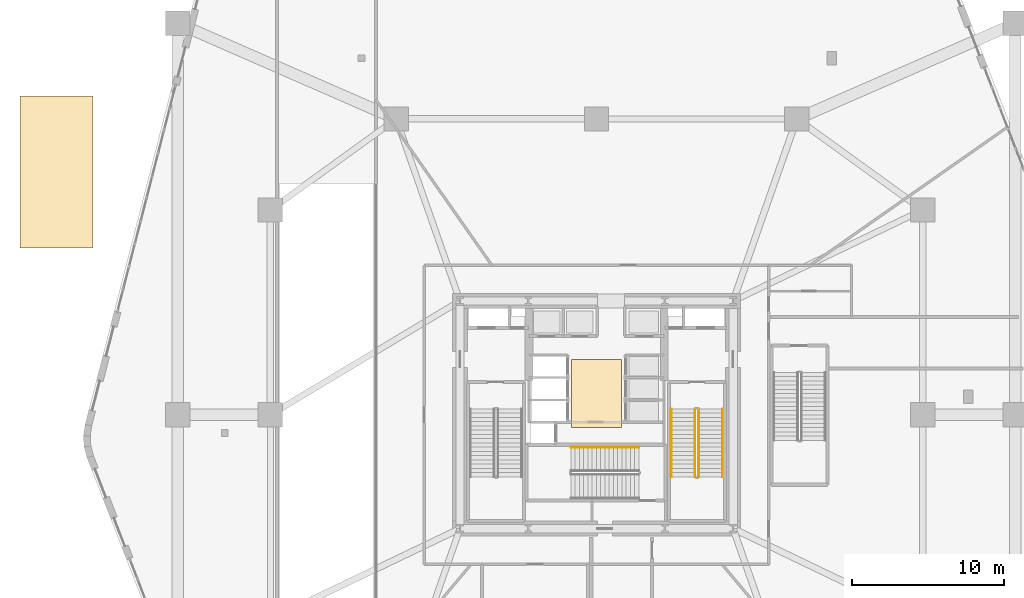
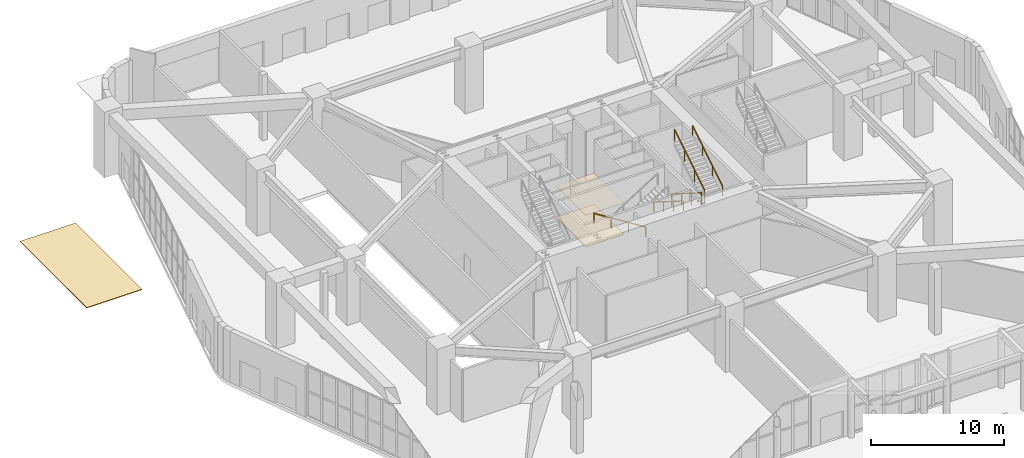
# One storey, part 32 of 35: 5 railings, 3 coverings.
"""IFC4 building model written with IfcOpenShell, lengths in metres."""

from ifc_helpers import new_model, si_unit, direction, frame, origin, origin_2d, place, context, subcontext, project, spatial, polyline, rectangle, outline, extrude, material, layer, layer_set, type_object, element, save


model = new_model("IFC4")

# Units and contexts
model_context = context("Model", 3, precision=1e-05, world=origin(), true_north=direction((0.0, 1.0)))
body_context = subcontext(model_context, "Body", "Model", "MODEL_VIEW")
ifc_project = project(units=[si_unit("LENGTHUNIT", "METRE"), si_unit("AREAUNIT", "SQUARE_METRE"), si_unit("VOLUMEUNIT", "CUBIC_METRE"), si_unit("PLANEANGLEUNIT", "RADIAN"), si_unit("MASSUNIT", "GRAM", prefix="KILO")], contexts=[model_context])

# Site, building, storey
site_placement = place(None, origin())
site = spatial("IfcSite", under=ifc_project, at=site_placement, CompositionType="ELEMENT")
building_placement = place(site_placement, origin())
building = spatial("IfcBuilding", under=site, at=building_placement, Name="Kilnhurst Terrace Hotel", CompositionType="ELEMENT")
storey_placement = place(building_placement, origin())
storey = spatial("IfcBuildingStorey", under=building, at=storey_placement, Name="L00", CompositionType="ELEMENT", Elevation=0.0)

# Coverings
ifc_material_1 = material(Name="Perforated Micro-Acoustic Gypsum and Mineral Wool Ceiling")
ifc_layer_1 = layer(ifc_material_1, 0.050048828125, Name="Perforated Micro-Acoustic Gypsum and Mineral Wool Ceiling")
ifc_layer_set_1 = layer_set([ifc_layer_1], Name="Perforated Micro-Acoustic Gypsum and Mineral Wool Ceiling")
covering_type_1 = type_object("IfcCoveringType", Name="COV-CLG-AC60", PredefinedType="CEILING", material=ifc_layer_set_1)
covering_1_placement = place(storey_placement, frame((0.0, 0.0, 2.85009765625)))
element("IfcCovering", 1, at=covering_1_placement, inside=storey, type_object=covering_type_1, Name="L00 Lift Lobby Suspended Acoustic Ceiling", PredefinedType="CEILING", context=body_context, shape_type="SweptSolid", body=[
    extrude(outline(polyline([(-1.64990234375, -0.85009765625), (1.64990234375, -0.85009765625), (1.64990234375, 3.64990234375), (-1.64990234375, 3.64990234375), (-1.64990234375, -0.85009765625)])), origin(), (0.0, 0.0, 1.0), 0.0498046875),
])
ifc_material_2 = material(Name="Honed Texas Cream Limestone Tile Flooring", Category="masonry")
ifc_layer_2 = layer(ifc_material_2, 0.030029296875, Name="Honed Texas Cream Limestone Tile Flooring")
ifc_layer_set_2 = layer_set([ifc_layer_2], Name="Honed Texas Cream Limestone Tile Flooring")
covering_type_2 = type_object("IfcCoveringType", Name="COV-FLR-STN30", PredefinedType="FLOORING", material=ifc_layer_set_2)
covering_2_placement = place(storey_placement, origin())
element("IfcCovering", 2, at=covering_2_placement, inside=storey, type_object=covering_type_2, Name="L00 Lift Lobby Honed Limestone Flooring", PredefinedType="FLOORING", context=body_context, shape_type="SweptSolid", body=[
    extrude(outline(polyline([(-1.64990234375, -0.85009765625), (1.64990234375, -0.85009765625), (1.64990234375, 3.64990234375), (-1.64990234375, 3.64990234375), (-1.64990234375, -0.85009765625)])), origin(), (0.0, 0.0, 1.0), 0.030029296875),
])
ifc_material_3 = material(Name="Flamed Texas Pink Granite Forecourt Paving", Category="masonry")
ifc_layer_3 = layer(ifc_material_3, 0.06005859375, Name="Flamed Texas Pink Granite Forecourt Paving")
ifc_layer_set_3 = layer_set([ifc_layer_3], Name="Flamed Texas Pink Granite Forecourt Paving")
covering_type_3 = type_object("IfcCoveringType", Name="COV-PAV-GRANITE", PredefinedType="FLOORING", material=ifc_layer_set_3)
covering_3_placement = place(storey_placement, frame((0.0, 0.0, -0.06005859375)))
element("IfcCovering", 3, at=covering_3_placement, inside=storey, type_object=covering_type_3, Name="L00 Forecourt Granite Paving 2", PredefinedType="FLOORING", context=body_context, shape_type="SweptSolid", body=[
    extrude(outline(polyline([(-38.0, 11.0), (-33.199951171875, 11.0), (-33.199951171875, 21.0), (-38.0, 21.0), (-38.0, 11.0)])), origin(), (0.0, 0.0, 1.0), 0.06005859375),
])

# Railings
ifc_material_4 = material(Name="Powder-Coated Steel ASTM A500 Grade B", Category="steel")
ifc_layer_4 = layer(ifc_material_4, 0.050048828125, Name="Powder-Coated Steel ASTM A500 Grade B")
ifc_layer_set_4 = layer_set([ifc_layer_4], Name="Powder-Coated Steel ASTM A500 Grade B")
railing_type_1 = type_object("IfcRailingType", Name="RLG-ST-GRD-1100", PredefinedType="GUARDRAIL", material=ifc_layer_set_4)
railing_1_placement = place(storey_placement, frame((6.489990234375, 0.389892578125, 0.176513671875)))
element("IfcRailing", 4, at=railing_1_placement, inside=storey, type_object=railing_type_1, Name="L00 ST-2 stair guard 1", PredefinedType="GUARDRAIL", context=body_context, shape_type="SweptSolid", body=[
    extrude(rectangle(XDim=0.048095703125, YDim=0.048095703125, at=origin_2d()), frame((0.0, 0.0, 1.076171875), z_axis=(0.0, -0.845997938375, 0.533186166611), x_axis=(1.0, 0.0, 0.0)), (0.0, 0.0, 1.0), 5.29541015625),
    extrude(rectangle(XDim=0.0419921875, YDim=0.0419921875, at=origin_2d()), origin(), (0.0, 0.0, 1.0), 1.052001953125),
    extrude(rectangle(XDim=0.0419921875, YDim=0.0419921875, at=origin_2d()), frame((0.0, -1.493408203125, 0.941162109375)), (0.0, 0.0, 1.0), 1.052001953125),
    extrude(rectangle(XDim=0.0419921875, YDim=0.0419921875, at=origin_2d()), frame((0.0, -2.986572265625, 1.88232421875)), (0.0, 0.0, 1.0), 1.052001953125),
    extrude(rectangle(XDim=0.0419921875, YDim=0.0419921875, at=origin_2d()), frame((0.0, -4.47998046875, 2.823486328125)), (0.0, 0.0, 1.0), 1.052001953125),
])
railing_2_placement = place(storey_placement, frame((6.739990234375, -4.090087890625, 3.176513671875)))
element("IfcRailing", 5, at=railing_2_placement, inside=storey, type_object=railing_type_1, Name="L00 ST-2 stair guard 3", PredefinedType="GUARDRAIL", context=body_context, shape_type="SweptSolid", body=[
    extrude(rectangle(XDim=0.048095703125, YDim=0.048095703125, at=origin_2d()), frame((0.0, 0.0, 1.076171875), z_axis=(0.0, 0.845997938375, 0.533186166611), x_axis=(-1.0, 0.0, 0.0)), (0.0, 0.0, 1.0), 5.29541015625),
    extrude(rectangle(XDim=0.0419921875, YDim=0.0419921875, at=origin_2d()), origin(), (0.0, 0.0, 1.0), 1.052001953125),
    extrude(rectangle(XDim=0.0419921875, YDim=0.0419921875, at=origin_2d()), frame((0.0, 1.493408203125, 0.941162109375)), (0.0, 0.0, 1.0), 1.052001953125),
    extrude(rectangle(XDim=0.0419921875, YDim=0.0419921875, at=origin_2d()), frame((0.0, 2.986572265625, 1.88232421875)), (0.0, 0.0, 1.0), 1.052001953125),
    extrude(rectangle(XDim=0.0419921875, YDim=0.0419921875, at=origin_2d()), frame((0.0, 4.47998046875, 2.823486328125)), (0.0, 0.0, 1.0), 1.052001953125),
])
ifc_material_5 = material(Name="Brushed Stainless Steel AISI 304", Category="steel")
ifc_layer_5 = layer(ifc_material_5, 0.048095703125, Name="Brushed Stainless Steel AISI 304")
ifc_layer_set_5 = layer_set([ifc_layer_5], Name="Brushed Stainless Steel AISI 304")
railing_type_2 = type_object("IfcRailingType", Name="RLG-ST-HRL-900", PredefinedType="HANDRAIL", material=ifc_layer_set_5)
railing_3_placement = place(storey_placement, frame((4.929931640625, 0.389892578125, 0.176513671875)))
element("IfcRailing", 6, at=railing_3_placement, inside=storey, type_object=railing_type_2, Name="L00 ST-2 stair handrail 1", PredefinedType="HANDRAIL", context=body_context, shape_type="SweptSolid", body=[
    extrude(rectangle(XDim=0.048095703125, YDim=0.048095703125, at=origin_2d()), frame((0.0, 0.0, 0.8759765625), z_axis=(0.0, -0.845997938375, 0.533186166611), x_axis=(1.0, 0.0, 0.0)), (0.0, 0.0, 1.0), 5.29541015625),
    extrude(rectangle(XDim=0.0419921875, YDim=0.0419921875, at=origin_2d()), origin(), (0.0, 0.0, 1.0), 0.851806640625),
    extrude(rectangle(XDim=0.0419921875, YDim=0.0419921875, at=origin_2d()), frame((0.0, -1.493408203125, 0.941162109375)), (0.0, 0.0, 1.0), 0.851806640625),
    extrude(rectangle(XDim=0.0419921875, YDim=0.0419921875, at=origin_2d()), frame((0.0, -2.986572265625, 1.88232421875)), (0.0, 0.0, 1.0), 0.851806640625),
    extrude(rectangle(XDim=0.0419921875, YDim=0.0419921875, at=origin_2d()), frame((0.0, -4.47998046875, 2.823486328125)), (0.0, 0.0, 1.0), 0.851806640625),
])
railing_4_placement = place(storey_placement, frame((8.300048828125, -4.090087890625, 3.176513671875)))
element("IfcRailing", 7, at=railing_4_placement, inside=storey, type_object=railing_type_2, Name="L00 ST-2 stair handrail 2", PredefinedType="HANDRAIL", context=body_context, shape_type="SweptSolid", body=[
    extrude(rectangle(XDim=0.048095703125, YDim=0.048095703125, at=origin_2d()), frame((0.0, 0.0, 0.8759765625), z_axis=(0.0, 0.845997938375, 0.533186166611), x_axis=(-1.0, 0.0, 0.0)), (0.0, 0.0, 1.0), 5.29541015625),
    extrude(rectangle(XDim=0.0419921875, YDim=0.0419921875, at=origin_2d()), origin(), (0.0, 0.0, 1.0), 0.851806640625),
    extrude(rectangle(XDim=0.0419921875, YDim=0.0419921875, at=origin_2d()), frame((0.0, 1.493408203125, 0.941162109375)), (0.0, 0.0, 1.0), 0.851806640625),
    extrude(rectangle(XDim=0.0419921875, YDim=0.0419921875, at=origin_2d()), frame((0.0, 2.986572265625, 1.88232421875)), (0.0, 0.0, 1.0), 0.851806640625),
    extrude(rectangle(XDim=0.0419921875, YDim=0.0419921875, at=origin_2d()), frame((0.0, 4.47998046875, 2.823486328125)), (0.0, 0.0, 1.0), 0.851806640625),
])
railing_5_placement = place(storey_placement, frame((2.7900390625, -2.1298828125, 0.176513671875)))
element("IfcRailing", 8, at=railing_5_placement, inside=storey, type_object=railing_type_2, Name="L00 ST-3 stair handrail 1", PredefinedType="HANDRAIL", context=body_context, shape_type="SweptSolid", body=[
    extrude(rectangle(XDim=0.048095703125, YDim=0.048095703125, at=origin_2d()), frame((0.0, 0.0, 0.8759765625), z_axis=(-0.845997938375, 0.0, 0.533186166611), x_axis=(0.0, -1.0, 0.0)), (0.0, 0.0, 1.0), 5.29541015625),
    extrude(rectangle(XDim=0.0419921875, YDim=0.0419921875, at=origin_2d()), origin(), (0.0, 0.0, 1.0), 0.851806640625),
    extrude(rectangle(XDim=0.0419921875, YDim=0.0419921875, at=origin_2d()), frame((-1.493408203125, 0.0, 0.941162109375)), (0.0, 0.0, 1.0), 0.851806640625),
    extrude(rectangle(XDim=0.0419921875, YDim=0.0419921875, at=origin_2d()), frame((-2.986572265625, 0.0, 1.88232421875)), (0.0, 0.0, 1.0), 0.851806640625),
    extrude(rectangle(XDim=0.0419921875, YDim=0.0419921875, at=origin_2d()), frame((-4.47998046875, 0.0, 2.823486328125)), (0.0, 0.0, 1.0), 0.851806640625),
])

save(model, "model.ifc")
